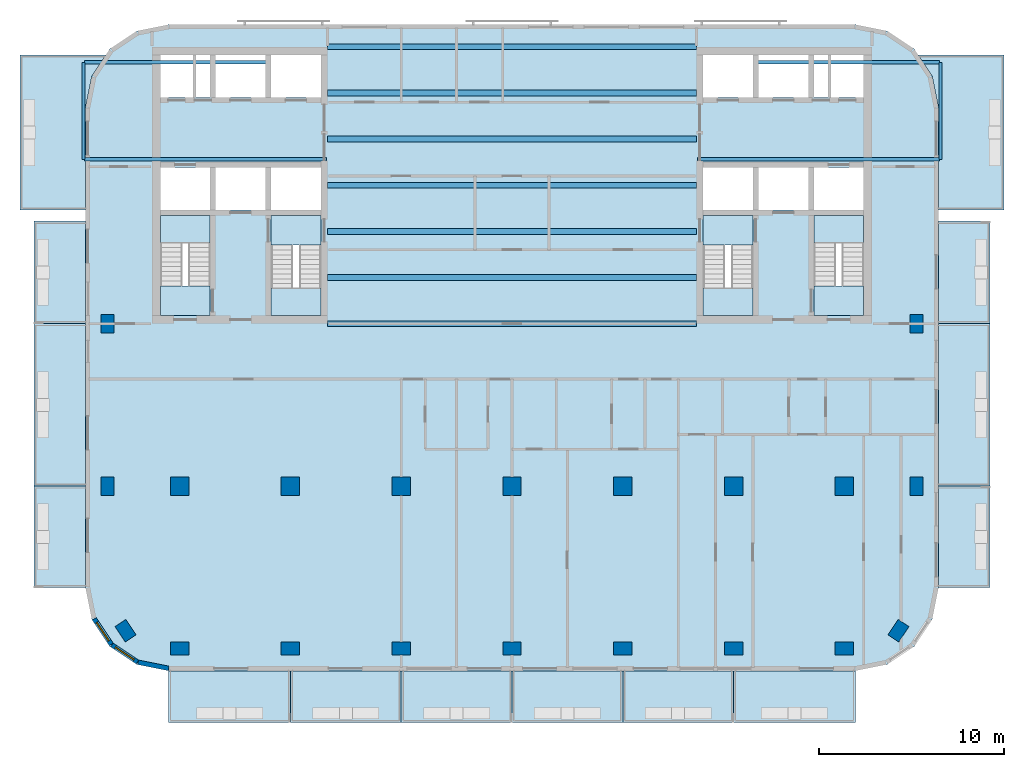
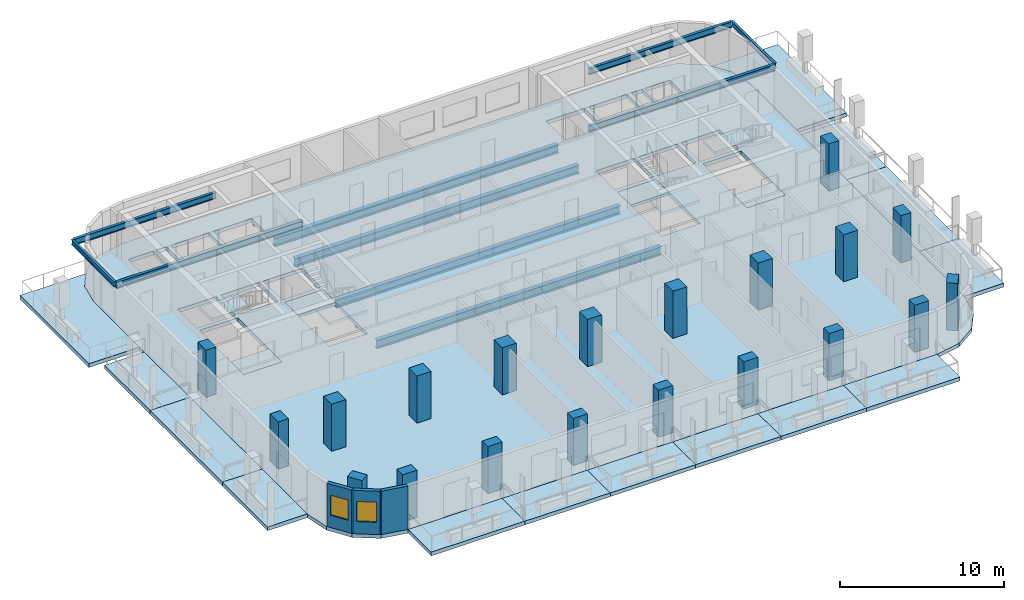
# One storey, part 1 of 10: 23 slabs, 20 columns, 13 beams, 3 walls, 2 windows, 2 openings, 4 elements without a shape of their own.
"""IFC4 building model written with IfcOpenShell, lengths in metres."""

from ifc_helpers import new_model, si_unit, direction, frame, frame_2d, origin, origin_2d, place, context, subcontext, project, spatial, polyline, rectangle, i_section, outline, extrude, material, layer, layer_set, material_profile, profile_set, type_object, element, fill, aggregate, save


model = new_model("IFC4")

# Units and contexts
model_context = context("Model", 3, precision=1e-05, world=origin(), true_north=direction((0.0, 1.0)))
body_context = subcontext(model_context, "Body", "Model", "MODEL_VIEW")
ifc_project = project(units=[si_unit("LENGTHUNIT", "METRE"), si_unit("AREAUNIT", "SQUARE_METRE"), si_unit("VOLUMEUNIT", "CUBIC_METRE"), si_unit("PLANEANGLEUNIT", "RADIAN"), si_unit("MASSUNIT", "GRAM", prefix="KILO")], contexts=[model_context])

# Site, building, storey
site_placement = place(None, origin())
site = spatial("IfcSite", under=ifc_project, at=site_placement, CompositionType="ELEMENT")
building_placement = place(site_placement, origin())
building = spatial("IfcBuilding", under=site, at=building_placement, Name="Torana Hotel and Residences", CompositionType="ELEMENT")
storey_placement = place(building_placement, frame((0.0, 0.0, 301.60009765625)))
storey = spatial("IfcBuildingStorey", under=building, at=storey_placement, Name="L80", CompositionType="ELEMENT", Elevation=301.60009765625)

# Columns
ifc_material_1 = material(Name="Concrete C50/60", Category="concrete")
ifc_material_profile_1 = material_profile(ifc_material_1, rectangle(XDim=1.0, YDim=1.0, at=origin_2d()), Name="RC 1000x1000")
ifc_profile_set_1 = profile_set([ifc_material_profile_1], Name="Concrete C50/60")
column_type_1 = type_object("IfcColumnType", Name="COLUMN RC 1000x1000 C50/60", PredefinedType="COLUMN", material=ifc_profile_set_1)
for number, where, z_axis, x_axis, name in (
    (1, (-18.0, -23.800048828125, 0.0), (0.0, 0.0, 1.0), (1.0, 0.0, 0.0), "Column L80"),
    (2, (-12.0, -23.800048828125, 0.0), (0.0, 0.0, 1.0), (1.0, 0.0, 0.0), "Column L80"),
    (3, (-6.0, -23.800048828125, 0.0), (0.0, 0.0, 1.0), (1.0, 0.0, 0.0), "Column L80"),
    (4, (0.0, -23.800048828125, 0.0), (0.0, 0.0, 1.0), (1.0, 0.0, 0.0), "Column L80"),
    (5, (6.0, -23.800048828125, 0.0), (0.0, 0.0, 1.0), (1.0, 0.0, 0.0), "Column L80"),
    (6, (12.0, -23.800048828125, 0.0), (0.0, 0.0, 1.0), (1.0, 0.0, 0.0), "Column L80"),
    (7, (18.0, -23.800048828125, 0.0), (0.0, 0.0, 1.0), (1.0, 0.0, 0.0), "Column L80"),
):
    element("IfcColumn", number, at=place(storey_placement, frame(where, z_axis=z_axis, x_axis=x_axis)), inside=storey, type_object=column_type_1, Name=name, PredefinedType="COLUMN", context=body_context, shape_type="SweptSolid", body=[
        extrude(rectangle(XDim=1.0, YDim=1.0, at=origin_2d()), origin(), (0.0, 0.0, 1.0), 3.5),
    ])
ifc_material_2 = material(Name="Concrete C50/60", Category="concrete")
ifc_material_profile_2 = material_profile(ifc_material_2, rectangle(XDim=1.0, YDim=0.699951171875, at=origin_2d()), Name="RC 1000x700")
ifc_profile_set_2 = profile_set([ifc_material_profile_2], Name="Concrete C50/60")
column_type_2 = type_object("IfcColumnType", Name="COLUMN RC 1000x700 C50/60", PredefinedType="COLUMN", material=ifc_profile_set_2)
for number, where, z_axis, x_axis, name in (
    (8, (-21.89990234375, -23.800048828125, 0.0), (0.0, 0.0, 1.0), (0.0, 1.0, 0.0), "Column L80"),
    (9, (-21.89990234375, -15.0, 0.0), (0.0, 0.0, 1.0), (0.0, 1.0, 0.0), "Column L80"),
    (10, (-20.93310546875, -31.633056640625, 0.0), (0.0, 0.0, 1.0), (-0.555584744817, 0.831459915646, 0.0), "Column L80"),
    (11, (-18.0, -32.60009765625, 0.0), (0.0, 0.0, 1.0), (1.0, 0.0, 0.0), "Column L80"),
    (12, (-12.0, -32.60009765625, 0.0), (0.0, 0.0, 1.0), (1.0, 0.0, 0.0), "Column L80"),
    (13, (-6.0, -32.60009765625, 0.0), (0.0, 0.0, 1.0), (1.0, 0.0, 0.0), "Column L80"),
    (14, (0.0, -32.60009765625, 0.0), (0.0, 0.0, 1.0), (1.0, 0.0, 0.0), "Column L80"),
    (15, (6.0, -32.60009765625, 0.0), (0.0, 0.0, 1.0), (1.0, 0.0, 0.0), "Column L80"),
    (16, (12.0, -32.60009765625, 0.0), (0.0, 0.0, 1.0), (1.0, 0.0, 0.0), "Column L80"),
    (17, (18.0, -32.60009765625, 0.0), (0.0, 0.0, 1.0), (1.0, 0.0, 0.0), "Column L80"),
    (18, (20.93310546875, -31.633056640625, 0.0), (0.0, 0.0, 1.0), (0.555584744817, 0.831459915646, 0.0), "Column L80"),
    (19, (21.89990234375, -23.800048828125, 0.0), (0.0, 0.0, 1.0), (0.0, 1.0, 0.0), "Column L80"),
    (20, (21.89990234375, -15.0, 0.0), (0.0, 0.0, 1.0), (0.0, 1.0, 0.0), "Column L80"),
):
    element("IfcColumn", number, at=place(storey_placement, frame(where, z_axis=z_axis, x_axis=x_axis)), inside=storey, type_object=column_type_2, Name=name, PredefinedType="COLUMN", context=body_context, shape_type="SweptSolid", body=[
        extrude(rectangle(XDim=1.0, YDim=0.699951171875, at=origin_2d()), origin(), (0.0, 0.0, 1.0), 3.5),
    ])

# Beams
ifc_material_3 = material(Name="Steel S355", Category="steel")
ifc_material_profile_3 = material_profile(ifc_material_3, i_section(OverallWidth=0.19287109375, OverallDepth=0.46728515625, WebThickness=0.011474609375, FlangeThickness=0.01953125, FilletRadius=0.01025390625, at=origin_2d()), Name="457x191x98 UB")
ifc_profile_set_3 = profile_set([ifc_material_profile_3], Name="Steel S355")
beam_type_1 = type_object("IfcBeamType", Name="BALCONY CANTILEVER BEAM 457x191x98 UB", PredefinedType="BEAM", material=ifc_profile_set_3)
beam_1_placement = place(storey_placement, frame((-23.1484375, -6.10009765625, 2.986328125), z_axis=(1.0, 0.0, 0.0), x_axis=(0.0, 1.0, 0.0)))
element("IfcBeam", 21, at=beam_1_placement, inside=storey, type_object=beam_type_1, Name="Balcony cantilever beam", PredefinedType="BEAM", context=body_context, shape_type="SweptSolid", body=[
    extrude(i_section(OverallWidth=0.19287109375, OverallDepth=0.46728515625, WebThickness=0.011474609375, FlangeThickness=0.01953125, FilletRadius=0.01025390625, at=origin_2d()), origin(), (0.0, 0.0, 1.0), 13.098388671875),
])
beam_2_placement = place(storey_placement, frame((-23.1484375, -0.85009765625, 2.986328125), z_axis=(1.0, 0.0, 0.0), x_axis=(0.0, 1.0, 0.0)))
element("IfcBeam", 22, at=beam_2_placement, inside=storey, type_object=beam_type_1, Name="Balcony cantilever beam", PredefinedType="BEAM", context=body_context, shape_type="SweptSolid", body=[
    extrude(i_section(OverallWidth=0.19287109375, OverallDepth=0.46728515625, WebThickness=0.011474609375, FlangeThickness=0.01953125, FilletRadius=0.01025390625, at=origin_2d()), origin(), (0.0, 0.0, 1.0), 10.04833984375),
])
beam_3_placement = place(storey_placement, frame((23.1484375, -6.10009765625, 2.986328125), z_axis=(-1.0, 0.0, 0.0), x_axis=(0.0, -1.0, 0.0)))
element("IfcBeam", 23, at=beam_3_placement, inside=storey, type_object=beam_type_1, Name="Balcony cantilever beam", PredefinedType="BEAM", context=body_context, shape_type="SweptSolid", body=[
    extrude(i_section(OverallWidth=0.19287109375, OverallDepth=0.46728515625, WebThickness=0.011474609375, FlangeThickness=0.01953125, FilletRadius=0.01025390625, at=origin_2d()), origin(), (0.0, 0.0, 1.0), 13.098388671875),
])
beam_4_placement = place(storey_placement, frame((23.1484375, -0.85009765625, 2.986328125), z_axis=(-1.0, 0.0, 0.0), x_axis=(0.0, -1.0, 0.0)))
element("IfcBeam", 24, at=beam_4_placement, inside=storey, type_object=beam_type_1, Name="Balcony cantilever beam", PredefinedType="BEAM", context=body_context, shape_type="SweptSolid", body=[
    extrude(i_section(OverallWidth=0.19287109375, OverallDepth=0.46728515625, WebThickness=0.011474609375, FlangeThickness=0.01953125, FilletRadius=0.01025390625, at=origin_2d()), origin(), (0.0, 0.0, 1.0), 10.04833984375),
])
ifc_material_4 = material(Name="Steel S355", Category="steel")
ifc_material_profile_4 = material_profile(ifc_material_4, i_section(OverallWidth=0.173095703125, OverallDepth=0.36328125, WebThickness=0.009033203125, FlangeThickness=0.015625, FilletRadius=0.01025390625, at=origin_2d()), Name="356x171x67 UB")
ifc_profile_set_4 = profile_set([ifc_material_profile_4], Name="Steel S355")
beam_type_2 = type_object("IfcBeamType", Name="BALCONY TIP BEAM 356x171x67 UB", PredefinedType="BEAM", material=ifc_profile_set_4)
for number, where, z_axis, x_axis, name in (
    (25, (-23.205078125, -6.10009765625, 3.0380859375), (0.0, 1.0, 0.0), (-1.0, 0.0, 0.0), "Balcony tip beam"),
    (26, (23.205078125, -6.10009765625, 3.0380859375), (0.0, 1.0, 0.0), (-1.0, 0.0, 0.0), "Balcony tip beam"),
):
    element("IfcBeam", number, at=place(storey_placement, frame(where, z_axis=z_axis, x_axis=x_axis)), inside=storey, type_object=beam_type_2, Name=name, PredefinedType="BEAM", context=body_context, shape_type="SweptSolid", body=[
        extrude(i_section(OverallWidth=0.173095703125, OverallDepth=0.36328125, WebThickness=0.009033203125, FlangeThickness=0.015625, FilletRadius=0.01025390625, at=origin_2d()), origin(), (0.0, 0.0, 1.0), 5.25),
    ])
ifc_material_5 = material(Name="Steel S355", Category="steel")
ifc_material_profile_5 = material_profile(ifc_material_5, i_section(OverallWidth=0.311279296875, OverallDepth=0.6357421875, WebThickness=0.018310546875, FlangeThickness=0.031494140625, FilletRadius=0.0166015625, at=origin_2d()), Name="610x305x238 UB")
ifc_profile_set_5 = profile_set([ifc_material_profile_5], Name="Steel S355")
beam_type_3 = type_object("IfcBeamType", Name="STEEL GIRDER 610x305x238 UB", PredefinedType="BEAM", material=ifc_profile_set_5)
for number, where, z_axis, x_axis, name in (
    (27, (-10.0, -15.0, -0.597900390625), (1.0, 0.0, 0.0), (0.0, 1.0, 0.0), "Floor girder"),
    (28, (-10.0, -12.5, -0.597900390625), (1.0, 0.0, 0.0), (0.0, 1.0, 0.0), "Floor girder"),
    (29, (-10.0, -10.0, -0.597900390625), (1.0, 0.0, 0.0), (0.0, 1.0, 0.0), "Floor girder"),
    (30, (-10.0, -7.5, -0.597900390625), (1.0, 0.0, 0.0), (0.0, 1.0, 0.0), "Floor girder"),
    (31, (-10.0, -5.0, -0.597900390625), (1.0, 0.0, 0.0), (0.0, 1.0, 0.0), "Floor girder"),
    (32, (-10.0, -2.5, -0.597900390625), (1.0, 0.0, 0.0), (0.0, 1.0, 0.0), "Floor girder"),
    (33, (-10.0, 0.0, -0.597900390625), (1.0, 0.0, 0.0), (0.0, 1.0, 0.0), "Floor girder"),
):
    element("IfcBeam", number, at=place(storey_placement, frame(where, z_axis=z_axis, x_axis=x_axis)), inside=storey, type_object=beam_type_3, Name=name, PredefinedType="BEAM", context=body_context, shape_type="SweptSolid", body=[
        extrude(i_section(OverallWidth=0.311279296875, OverallDepth=0.6357421875, WebThickness=0.018310546875, FlangeThickness=0.031494140625, FilletRadius=0.0166015625, at=origin_2d()), origin(), (0.0, 0.0, 1.0), 20.0),
    ])

# Slabs
ifc_material_6 = material(Name="Concrete C40/50", Category="concrete")
ifc_layer_1 = layer(ifc_material_6, 0.280029296875)
ifc_layer_set_1 = layer_set([ifc_layer_1], Name="BAL1 BALCONY SLAB 280")
slab_type_1 = type_object("IfcSlabType", Name="BAL1 BALCONY SLAB 280", PredefinedType="USERDEFINED", material=ifc_layer_set_1)
slab_1_placement = place(storey_placement, frame((0.0, 0.0, -0.280029296875)))
element("IfcSlab", 34, at=slab_1_placement, inside=storey, type_object=slab_type_1, Name="Balcony 01", ObjectType="BALCONY", PredefinedType="USERDEFINED", context=body_context, shape_type="SweptSolid", body=[
    extrude(outline(polyline([(-18.60009765625, -36.60009765625), (-12.0, -36.60009765625), (-12.0, -33.800048828125), (-18.60009765625, -33.800048828125), (-18.60009765625, -36.60009765625)])), origin(), (0.0, 0.0, 1.0), 0.280029296875),
])
slab_2_placement = place(storey_placement, frame((0.0, 0.0, -0.280029296875)))
element("IfcSlab", 35, at=slab_2_placement, inside=storey, type_object=slab_type_1, Name="Balcony 02", ObjectType="BALCONY", PredefinedType="USERDEFINED", context=body_context, shape_type="SweptSolid", body=[
    extrude(outline(polyline([(-12.0, -36.60009765625), (-6.0, -36.60009765625), (-6.0, -33.800048828125), (-12.0, -33.800048828125), (-12.0, -36.60009765625)])), origin(), (0.0, 0.0, 1.0), 0.280029296875),
])
slab_3_placement = place(storey_placement, frame((0.0, 0.0, -0.280029296875)))
element("IfcSlab", 36, at=slab_3_placement, inside=storey, type_object=slab_type_1, Name="Balcony 03", ObjectType="BALCONY", PredefinedType="USERDEFINED", context=body_context, shape_type="SweptSolid", body=[
    extrude(outline(polyline([(-6.0, -36.60009765625), (0.0, -36.60009765625), (0.0, -33.800048828125), (-6.0, -33.800048828125), (-6.0, -36.60009765625)])), origin(), (0.0, 0.0, 1.0), 0.280029296875),
])
slab_4_placement = place(storey_placement, frame((0.0, 0.0, -0.280029296875)))
element("IfcSlab", 37, at=slab_4_placement, inside=storey, type_object=slab_type_1, Name="Balcony 04", ObjectType="BALCONY", PredefinedType="USERDEFINED", context=body_context, shape_type="SweptSolid", body=[
    extrude(outline(polyline([(0.0, -36.60009765625), (6.0, -36.60009765625), (6.0, -33.800048828125), (0.0, -33.800048828125), (0.0, -36.60009765625)])), origin(), (0.0, 0.0, 1.0), 0.280029296875),
])
slab_5_placement = place(storey_placement, frame((0.0, 0.0, -0.280029296875)))
element("IfcSlab", 38, at=slab_5_placement, inside=storey, type_object=slab_type_1, Name="Balcony 05", ObjectType="BALCONY", PredefinedType="USERDEFINED", context=body_context, shape_type="SweptSolid", body=[
    extrude(outline(polyline([(6.0, -36.60009765625), (12.0, -36.60009765625), (12.0, -33.800048828125), (6.0, -33.800048828125), (6.0, -36.60009765625)])), origin(), (0.0, 0.0, 1.0), 0.280029296875),
])
slab_6_placement = place(storey_placement, frame((0.0, 0.0, -0.280029296875)))
element("IfcSlab", 39, at=slab_6_placement, inside=storey, type_object=slab_type_1, Name="Balcony 06", ObjectType="BALCONY", PredefinedType="USERDEFINED", context=body_context, shape_type="SweptSolid", body=[
    extrude(outline(polyline([(12.0, -36.60009765625), (18.60009765625, -36.60009765625), (18.60009765625, -33.800048828125), (12.0, -33.800048828125), (12.0, -36.60009765625)])), origin(), (0.0, 0.0, 1.0), 0.280029296875),
])
slab_7_placement = place(storey_placement, frame((0.0, 0.0, -0.280029296875)))
element("IfcSlab", 40, at=slab_7_placement, inside=storey, type_object=slab_type_1, Name="Balcony 07", ObjectType="BALCONY", PredefinedType="USERDEFINED", context=body_context, shape_type="SweptSolid", body=[
    extrude(outline(polyline([(-25.89990234375, -29.300048828125), (-23.10009765625, -29.300048828125), (-23.10009765625, -23.800048828125), (-25.89990234375, -23.800048828125), (-25.89990234375, -29.300048828125)])), origin(), (0.0, 0.0, 1.0), 0.280029296875),
])
slab_8_placement = place(storey_placement, frame((0.0, 0.0, -0.280029296875)))
element("IfcSlab", 41, at=slab_8_placement, inside=storey, type_object=slab_type_1, Name="Balcony 08", ObjectType="BALCONY", PredefinedType="USERDEFINED", context=body_context, shape_type="SweptSolid", body=[
    extrude(outline(polyline([(-25.89990234375, -23.800048828125), (-23.10009765625, -23.800048828125), (-23.10009765625, -15.0), (-25.89990234375, -15.0), (-25.89990234375, -23.800048828125)])), origin(), (0.0, 0.0, 1.0), 0.280029296875),
])
slab_9_placement = place(storey_placement, frame((0.0, 0.0, -0.280029296875)))
element("IfcSlab", 42, at=slab_9_placement, inside=storey, type_object=slab_type_1, Name="Balcony 09", ObjectType="BALCONY", PredefinedType="USERDEFINED", context=body_context, shape_type="SweptSolid", body=[
    extrude(outline(polyline([(-25.89990234375, -15.0), (-23.10009765625, -15.0), (-23.10009765625, -9.449951171875), (-25.89990234375, -9.449951171875), (-25.89990234375, -15.0)])), origin(), (0.0, 0.0, 1.0), 0.280029296875),
])
slab_10_placement = place(storey_placement, frame((0.0, 0.0, -0.280029296875)))
element("IfcSlab", 43, at=slab_10_placement, inside=storey, type_object=slab_type_1, Name="Balcony 10", ObjectType="BALCONY", PredefinedType="USERDEFINED", context=body_context, shape_type="SweptSolid", body=[
    extrude(outline(polyline([(-26.64990234375, -8.85009765625), (-23.10009765625, -8.85009765625), (-23.10009765625, -3.300048828125), (-22.757568359375, -1.577880859375), (-22.00390625, -0.449951171875), (-26.64990234375, -0.449951171875), (-26.64990234375, -8.85009765625)])), origin(), (0.0, 0.0, 1.0), 0.280029296875),
])
slab_11_placement = place(storey_placement, frame((0.0, 0.0, -0.280029296875)))
element("IfcSlab", 44, at=slab_11_placement, inside=storey, type_object=slab_type_1, Name="Balcony 11", ObjectType="BALCONY", PredefinedType="USERDEFINED", context=body_context, shape_type="SweptSolid", body=[
    extrude(outline(polyline([(23.10009765625, -29.300048828125), (25.89990234375, -29.300048828125), (25.89990234375, -23.800048828125), (23.10009765625, -23.800048828125), (23.10009765625, -29.300048828125)])), origin(), (0.0, 0.0, 1.0), 0.280029296875),
])
slab_12_placement = place(storey_placement, frame((0.0, 0.0, -0.280029296875)))
element("IfcSlab", 45, at=slab_12_placement, inside=storey, type_object=slab_type_1, Name="Balcony 12", ObjectType="BALCONY", PredefinedType="USERDEFINED", context=body_context, shape_type="SweptSolid", body=[
    extrude(outline(polyline([(23.10009765625, -23.800048828125), (25.89990234375, -23.800048828125), (25.89990234375, -15.0), (23.10009765625, -15.0), (23.10009765625, -23.800048828125)])), origin(), (0.0, 0.0, 1.0), 0.280029296875),
])
slab_13_placement = place(storey_placement, frame((0.0, 0.0, -0.280029296875)))
element("IfcSlab", 46, at=slab_13_placement, inside=storey, type_object=slab_type_1, Name="Balcony 13", ObjectType="BALCONY", PredefinedType="USERDEFINED", context=body_context, shape_type="SweptSolid", body=[
    extrude(outline(polyline([(23.10009765625, -15.0), (25.89990234375, -15.0), (25.89990234375, -9.449951171875), (23.10009765625, -9.449951171875), (23.10009765625, -15.0)])), origin(), (0.0, 0.0, 1.0), 0.280029296875),
])
slab_14_placement = place(storey_placement, frame((0.0, 0.0, -0.280029296875)))
element("IfcSlab", 47, at=slab_14_placement, inside=storey, type_object=slab_type_1, Name="Balcony 14", ObjectType="BALCONY", PredefinedType="USERDEFINED", context=body_context, shape_type="SweptSolid", body=[
    extrude(outline(polyline([(23.10009765625, -8.85009765625), (26.64990234375, -8.85009765625), (26.64990234375, -0.449951171875), (22.00390625, -0.449951171875), (22.757568359375, -1.577880859375), (23.10009765625, -3.300048828125), (23.10009765625, -8.85009765625)])), origin(), (0.0, 0.0, 1.0), 0.280029296875),
])
ifc_material_7 = material(Name="Concrete C40/50", Category="concrete")
ifc_layer_2 = layer(ifc_material_7, 0.280029296875)
ifc_layer_set_2 = layer_set([ifc_layer_2], Name="FLOOR SLAB PT 280")
slab_type_2 = type_object("IfcSlabType", Name="FLOOR SLAB PT 280", PredefinedType="FLOOR", material=ifc_layer_set_2)
slab_15_placement = place(storey_placement, frame((0.0, 0.0, -0.280029296875)))
element("IfcSlab", 48, at=slab_15_placement, inside=storey, type_object=slab_type_2, Name="Floor slab", PredefinedType="FLOOR", context=body_context, shape_type="SweptSolid", body=[
    extrude(outline(polyline([(23.10009765625, -3.300048828125), (22.757568359375, -1.577880859375), (21.781982421875, -0.117919921875), (20.322021484375, 0.857421875), (18.60009765625, 1.199951171875), (-18.60009765625, 1.199951171875), (-20.322021484375, 0.857421875), (-21.781982421875, -0.117919921875), (-22.757568359375, -1.577880859375), (-23.10009765625, -3.300048828125), (-23.10009765625, -29.300048828125), (-22.757568359375, -31.022216796875), (-21.781982421875, -32.48193359375), (-20.322021484375, -33.45751953125), (-18.60009765625, -33.800048828125), (18.60009765625, -33.800048828125), (20.322021484375, -33.45751953125), (21.781982421875, -32.48193359375), (22.757568359375, -31.022216796875), (23.10009765625, -29.300048828125), (23.10009765625, -3.300048828125)]), holes=[polyline([(-13.050048828125, -14.550048828125), (-10.35009765625, -14.550048828125), (-10.35009765625, -9.14990234375), (-13.050048828125, -9.14990234375), (-13.050048828125, -14.550048828125)]), polyline([(-19.050048828125, -14.550048828125), (-16.35009765625, -14.550048828125), (-16.35009765625, -9.14990234375), (-19.050048828125, -9.14990234375), (-19.050048828125, -14.550048828125)]), polyline([(-17.125, -2.75), (-16.35009765625, -2.75), (-16.35009765625, -0.449951171875), (-17.125, -0.449951171875), (-17.125, -2.75)]), polyline([(-19.050048828125, -2.75), (-17.27490234375, -2.75), (-17.27490234375, -0.449951171875), (-19.050048828125, -0.449951171875), (-19.050048828125, -2.75)]), polyline([(-13.050048828125, -2.75), (-10.35009765625, -2.75), (-10.35009765625, -0.449951171875), (-13.050048828125, -0.449951171875), (-13.050048828125, -2.75)]), polyline([(-16.050048828125, -2.75), (-13.35009765625, -2.75), (-13.35009765625, -0.449951171875), (-16.050048828125, -0.449951171875), (-16.050048828125, -2.75)]), polyline([(-13.050048828125, -8.85009765625), (-10.35009765625, -8.85009765625), (-10.35009765625, -6.550048828125), (-13.050048828125, -6.550048828125), (-13.050048828125, -8.85009765625)]), polyline([(-16.050048828125, -8.85009765625), (-13.35009765625, -8.85009765625), (-13.35009765625, -6.550048828125), (-16.050048828125, -6.550048828125), (-16.050048828125, -8.85009765625)]), polyline([(-19.050048828125, -8.85009765625), (-16.35009765625, -8.85009765625), (-16.35009765625, -6.550048828125), (-19.050048828125, -6.550048828125), (-19.050048828125, -8.85009765625)]), polyline([(10.35009765625, -14.550048828125), (13.050048828125, -14.550048828125), (13.050048828125, -9.14990234375), (10.35009765625, -9.14990234375), (10.35009765625, -14.550048828125)]), polyline([(16.35009765625, -14.550048828125), (19.050048828125, -14.550048828125), (19.050048828125, -9.14990234375), (16.35009765625, -9.14990234375), (16.35009765625, -14.550048828125)]), polyline([(16.35009765625, -2.75), (17.125, -2.75), (17.125, -0.449951171875), (16.35009765625, -0.449951171875), (16.35009765625, -2.75)]), polyline([(17.27490234375, -2.75), (19.050048828125, -2.75), (19.050048828125, -0.449951171875), (17.27490234375, -0.449951171875), (17.27490234375, -2.75)]), polyline([(10.35009765625, -2.75), (13.050048828125, -2.75), (13.050048828125, -0.449951171875), (10.35009765625, -0.449951171875), (10.35009765625, -2.75)]), polyline([(13.35009765625, -2.75), (16.050048828125, -2.75), (16.050048828125, -0.449951171875), (13.35009765625, -0.449951171875), (13.35009765625, -2.75)]), polyline([(10.35009765625, -8.85009765625), (13.050048828125, -8.85009765625), (13.050048828125, -6.550048828125), (10.35009765625, -6.550048828125), (10.35009765625, -8.85009765625)]), polyline([(13.35009765625, -8.85009765625), (16.050048828125, -8.85009765625), (16.050048828125, -6.550048828125), (13.35009765625, -6.550048828125), (13.35009765625, -8.85009765625)]), polyline([(16.35009765625, -8.85009765625), (19.050048828125, -8.85009765625), (19.050048828125, -6.550048828125), (16.35009765625, -6.550048828125), (16.35009765625, -8.85009765625)])]), origin(), (0.0, 0.0, 1.0), 0.280029296875),
])

# Stair, slabs
ifc_material_8 = material(Name="Concrete C40/50 precast", Category="concrete")
stair_type_1 = type_object("IfcStairType", Name="STAIR ST1 HALF TURN 1200", PredefinedType="HALF_TURN_STAIR", material=ifc_material_8)
stair_1_placement = place(storey_placement, origin())
stair_1 = element("IfcStair", 49, at=stair_1_placement, inside=storey, type_object=stair_type_1, Name="Stair ST1 L80", PredefinedType="HALF_TURN_STAIR")
ifc_material_9 = material(Name="Concrete C40/50 precast", Category="concrete")
ifc_layer_3 = layer(ifc_material_9, 0.199951171875)
ifc_layer_set_3 = layer_set([ifc_layer_3], Name="STAIR LANDING 200")
slab_type_3 = type_object("IfcSlabType", Name="STAIR LANDING 200", PredefinedType="LANDING", material=ifc_layer_set_3)
slab_16_placement = place(storey_placement, frame((0.0, 0.0, 1.5498046875)))
slab_16 = element("IfcSlab", 50, at=slab_16_placement, type_object=slab_type_3, Name="ST1 landing 1", PredefinedType="LANDING", context=body_context, shape_type="SweptSolid", body=[
    extrude(outline(polyline([(-13.050048828125, -14.550048828125), (-10.35009765625, -14.550048828125), (-10.35009765625, -13.090087890625), (-13.050048828125, -13.090087890625), (-13.050048828125, -14.550048828125)])), origin(), (0.0, 0.0, 1.0), 0.2001953125),
])
slab_17_placement = place(storey_placement, frame((0.0, 0.0, -0.2001953125)))
slab_17 = element("IfcSlab", 51, at=slab_17_placement, type_object=slab_type_3, Name="ST1 landing 2", PredefinedType="LANDING", context=body_context, shape_type="SweptSolid", body=[
    extrude(outline(polyline([(-13.050048828125, -10.75), (-10.35009765625, -10.75), (-10.35009765625, -9.14990234375), (-13.050048828125, -9.14990234375), (-13.050048828125, -10.75)])), origin(), (0.0, 0.0, 1.0), 0.2001953125),
])
aggregate(stair_1, [slab_16, slab_17])

ifc_material_10 = material(Name="Concrete C40/50 precast", Category="concrete")
stair_type_2 = type_object("IfcStairType", Name="STAIR ST2 HALF TURN 1200", PredefinedType="HALF_TURN_STAIR", material=ifc_material_10)
stair_2_placement = place(storey_placement, origin())
stair_2 = element("IfcStair", 52, at=stair_2_placement, inside=storey, type_object=stair_type_2, Name="Stair ST2 L80", PredefinedType="HALF_TURN_STAIR")
slab_18_placement = place(storey_placement, frame((0.0, 0.0, 1.5498046875)))
slab_18 = element("IfcSlab", 53, at=slab_18_placement, type_object=slab_type_3, Name="ST2 landing 1", PredefinedType="LANDING", context=body_context, shape_type="SweptSolid", body=[
    extrude(outline(polyline([(-19.050048828125, -10.610107421875), (-16.35009765625, -10.610107421875), (-16.35009765625, -9.14990234375), (-19.050048828125, -9.14990234375), (-19.050048828125, -10.610107421875)])), origin(), (0.0, 0.0, 1.0), 0.2001953125),
])
slab_19_placement = place(storey_placement, frame((0.0, 0.0, -0.2001953125)))
slab_19 = element("IfcSlab", 54, at=slab_19_placement, type_object=slab_type_3, Name="ST2 landing 2", PredefinedType="LANDING", context=body_context, shape_type="SweptSolid", body=[
    extrude(outline(polyline([(-19.050048828125, -14.550048828125), (-16.35009765625, -14.550048828125), (-16.35009765625, -12.949951171875), (-19.050048828125, -12.949951171875), (-19.050048828125, -14.550048828125)])), origin(), (0.0, 0.0, 1.0), 0.2001953125),
])
aggregate(stair_2, [slab_18, slab_19])

ifc_material_11 = material(Name="Concrete C40/50 precast", Category="concrete")
stair_type_3 = type_object("IfcStairType", Name="STAIR ST3 HALF TURN 1200", PredefinedType="HALF_TURN_STAIR", material=ifc_material_11)
stair_3_placement = place(storey_placement, origin())
stair_3 = element("IfcStair", 55, at=stair_3_placement, inside=storey, type_object=stair_type_3, Name="Stair ST3 L80", PredefinedType="HALF_TURN_STAIR")
slab_20_placement = place(storey_placement, frame((0.0, 0.0, 1.5498046875)))
slab_20 = element("IfcSlab", 56, at=slab_20_placement, type_object=slab_type_3, Name="ST3 landing 1", PredefinedType="LANDING", context=body_context, shape_type="SweptSolid", body=[
    extrude(outline(polyline([(10.35009765625, -14.550048828125), (13.050048828125, -14.550048828125), (13.050048828125, -13.090087890625), (10.35009765625, -13.090087890625), (10.35009765625, -14.550048828125)])), origin(), (0.0, 0.0, 1.0), 0.2001953125),
])
slab_21_placement = place(storey_placement, frame((0.0, 0.0, -0.2001953125)))
slab_21 = element("IfcSlab", 57, at=slab_21_placement, type_object=slab_type_3, Name="ST3 landing 2", PredefinedType="LANDING", context=body_context, shape_type="SweptSolid", body=[
    extrude(outline(polyline([(10.35009765625, -10.75), (13.050048828125, -10.75), (13.050048828125, -9.14990234375), (10.35009765625, -9.14990234375), (10.35009765625, -10.75)])), origin(), (0.0, 0.0, 1.0), 0.2001953125),
])
aggregate(stair_3, [slab_20, slab_21])

ifc_material_12 = material(Name="Concrete C40/50 precast", Category="concrete")
stair_type_4 = type_object("IfcStairType", Name="STAIR ST4 HALF TURN 1200", PredefinedType="HALF_TURN_STAIR", material=ifc_material_12)
stair_4_placement = place(storey_placement, origin())
stair_4 = element("IfcStair", 58, at=stair_4_placement, inside=storey, type_object=stair_type_4, Name="Stair ST4 L80", PredefinedType="HALF_TURN_STAIR")
slab_22_placement = place(storey_placement, frame((0.0, 0.0, 1.5498046875)))
slab_22 = element("IfcSlab", 59, at=slab_22_placement, type_object=slab_type_3, Name="ST4 landing 1", PredefinedType="LANDING", context=body_context, shape_type="SweptSolid", body=[
    extrude(outline(polyline([(16.35009765625, -10.610107421875), (19.050048828125, -10.610107421875), (19.050048828125, -9.14990234375), (16.35009765625, -9.14990234375), (16.35009765625, -10.610107421875)])), origin(), (0.0, 0.0, 1.0), 0.2001953125),
])
slab_23_placement = place(storey_placement, frame((0.0, 0.0, -0.2001953125)))
slab_23 = element("IfcSlab", 60, at=slab_23_placement, type_object=slab_type_3, Name="ST4 landing 2", PredefinedType="LANDING", context=body_context, shape_type="SweptSolid", body=[
    extrude(outline(polyline([(16.35009765625, -14.550048828125), (19.050048828125, -14.550048828125), (19.050048828125, -12.949951171875), (16.35009765625, -12.949951171875), (16.35009765625, -14.550048828125)])), origin(), (0.0, 0.0, 1.0), 0.2001953125),
])
aggregate(stair_4, [slab_22, slab_23])

# Wall, opening, window
ifc_material_13 = material(Name="Black aluminium composite panel", Category="aluminium")
ifc_layer_4 = layer(ifc_material_13, 0.00390625, Name="Cladding", Category="cladding")
ifc_material_14 = material(Name="Ventilated air cavity")
ifc_layer_5 = layer(ifc_material_14, 0.0400390625, Name="Ventilated cavity", Category="cavity")
ifc_material_15 = material(Name="Mineral wool insulation")
ifc_layer_6 = layer(ifc_material_15, 0.090087890625, Name="Insulation", Category="insulation")
ifc_material_16 = material(Name="Steel S280GD", Category="steel")
ifc_layer_7 = layer(ifc_material_16, 0.092041015625, Name="Steel stud frame", Category="structure")
ifc_material_17 = material(Name="Fire rated plasterboard")
ifc_layer_8 = layer(ifc_material_17, 0.011962890625, Name="Inner board", Category="finish")
ifc_layer_9 = layer(ifc_material_17, 0.011962890625, Name="Second board", Category="finish")
ifc_layer_set_4 = layer_set([ifc_layer_4, ifc_layer_5, ifc_layer_6, ifc_layer_7, ifc_layer_8, ifc_layer_9], Name="EW1 EXTERNAL WALL BLACK METAL CLAD 250")
wall_type = type_object("IfcWallType", Name="EW1 EXTERNAL WALL BLACK METAL CLAD 250", PredefinedType="SOLIDWALL", material=ifc_layer_set_4)
wall_1_placement = place(storey_placement, frame((-22.6259765625, -30.993896484375, 0.0), z_axis=(0.0, 0.0, 1.0), x_axis=(0.55555029066, -0.831482937015, 0.0)))
wall_1 = element("IfcWall", 61, at=wall_1_placement, inside=storey, type_object=wall_type, Name="External wall L80 e0.11", PredefinedType="SOLIDWALL", context=body_context, shape_type="SweptSolid", body=[
    extrude(rectangle(XDim=1.65625, YDim=0.25, at=frame_2d((0.828125, 0.0))), origin(), (0.0, 0.0, 1.0), 3.219970703125),
])
opening_1_placement = place(wall_1_placement, frame((0.228271484375, 0.0, 0.89990234375)))
opening_1 = element("IfcOpeningElement", 62, at=opening_1_placement, cuts=wall_1, Name="Opening W5", PredefinedType="OPENING", context=body_context, shape_type="SweptSolid", body=[
    extrude(rectangle(XDim=1.199951171875, YDim=1.5, at=frame_2d((0.60009765625, 0.75))), frame((0.0, 0.135009765625, 0.0), z_axis=(0.0, -1.0, 0.0), x_axis=(1.0, 0.0, 0.0)), (0.0, 0.0, 1.0), 0.27001953125),
])
ifc_material_18 = material(Name="Dark glass in black aluminium frame", Category="aluminium")
window_type = type_object("IfcWindowType", Name="W5 CORNER FACET WINDOW 1200x1500", PartitioningType="SINGLE_PANEL", PredefinedType="WINDOW", material=ifc_material_18)
window_1_placement = place(opening_1_placement, origin())
window_1 = element("IfcWindow", 63, at=window_1_placement, inside=storey, type_object=window_type, Name="Window L80 e0.11", OverallHeight=1.5, OverallWidth=1.199951171875, PartitioningType="SINGLE_PANEL", PredefinedType="WINDOW", context=body_context, shape_type="SweptSolid", body=[
    extrude(rectangle(XDim=1.199951171875, YDim=1.5, at=frame_2d((0.60009765625, 0.75))), frame((0.0, 0.030029296875, 0.0), z_axis=(0.0, -1.0, 0.0), x_axis=(1.0, 0.0, 0.0)), (0.0, 0.0, 1.0), 0.06005859375),
])
fill(opening_1, window_1)

wall_2_placement = place(storey_placement, frame((-21.671142578125, -32.40576171875, 0.0), z_axis=(0.0, 0.0, 1.0), x_axis=(0.831482937015, -0.55555029066, 0.0)))
wall_2 = element("IfcWall", 64, at=wall_2_placement, inside=storey, type_object=wall_type, Name="External wall L80 e0.12", PredefinedType="SOLIDWALL", context=body_context, shape_type="SweptSolid", body=[
    extrude(rectangle(XDim=1.65625, YDim=0.25, at=frame_2d((0.828125, 0.0))), origin(), (0.0, 0.0, 1.0), 3.219970703125),
])
opening_2_placement = place(wall_2_placement, frame((0.228271484375, 0.0, 0.89990234375)))
opening_2 = element("IfcOpeningElement", 65, at=opening_2_placement, cuts=wall_2, Name="Opening W5", PredefinedType="OPENING", context=body_context, shape_type="SweptSolid", body=[
    extrude(rectangle(XDim=1.199951171875, YDim=1.5, at=frame_2d((0.60009765625, 0.75))), frame((0.0, 0.135009765625, 0.0), z_axis=(0.0, -1.0, 0.0), x_axis=(1.0, 0.0, 0.0)), (0.0, 0.0, 1.0), 0.27001953125),
])
window_2_placement = place(opening_2_placement, origin())
window_2 = element("IfcWindow", 66, at=window_2_placement, inside=storey, type_object=window_type, Name="Window L80 e0.12", OverallHeight=1.5, OverallWidth=1.199951171875, PartitioningType="SINGLE_PANEL", PredefinedType="WINDOW", context=body_context, shape_type="SweptSolid", body=[
    extrude(rectangle(XDim=1.199951171875, YDim=1.5, at=frame_2d((0.60009765625, 0.75))), frame((0.0, 0.030029296875, 0.0), z_axis=(0.0, -1.0, 0.0), x_axis=(1.0, 0.0, 0.0)), (0.0, 0.0, 1.0), 0.06005859375),
])
fill(opening_2, window_2)

# Wall
wall_3_placement = place(storey_placement, frame((-20.248779296875, -33.344482421875, 0.0), z_axis=(0.0, 0.0, 1.0), x_axis=(0.980770110232, -0.195166572128, 0.0)))
element("IfcWall", 67, at=wall_3_placement, inside=storey, type_object=wall_type, Name="External wall L80 e0.13", PredefinedType="SOLIDWALL", context=body_context, shape_type="SweptSolid", body=[
    extrude(rectangle(XDim=1.68115234375, YDim=0.25, at=frame_2d((0.840576171875, 0.0))), origin(), (0.0, 0.0, 1.0), 3.219970703125),
])

save(model, "model.ifc")
